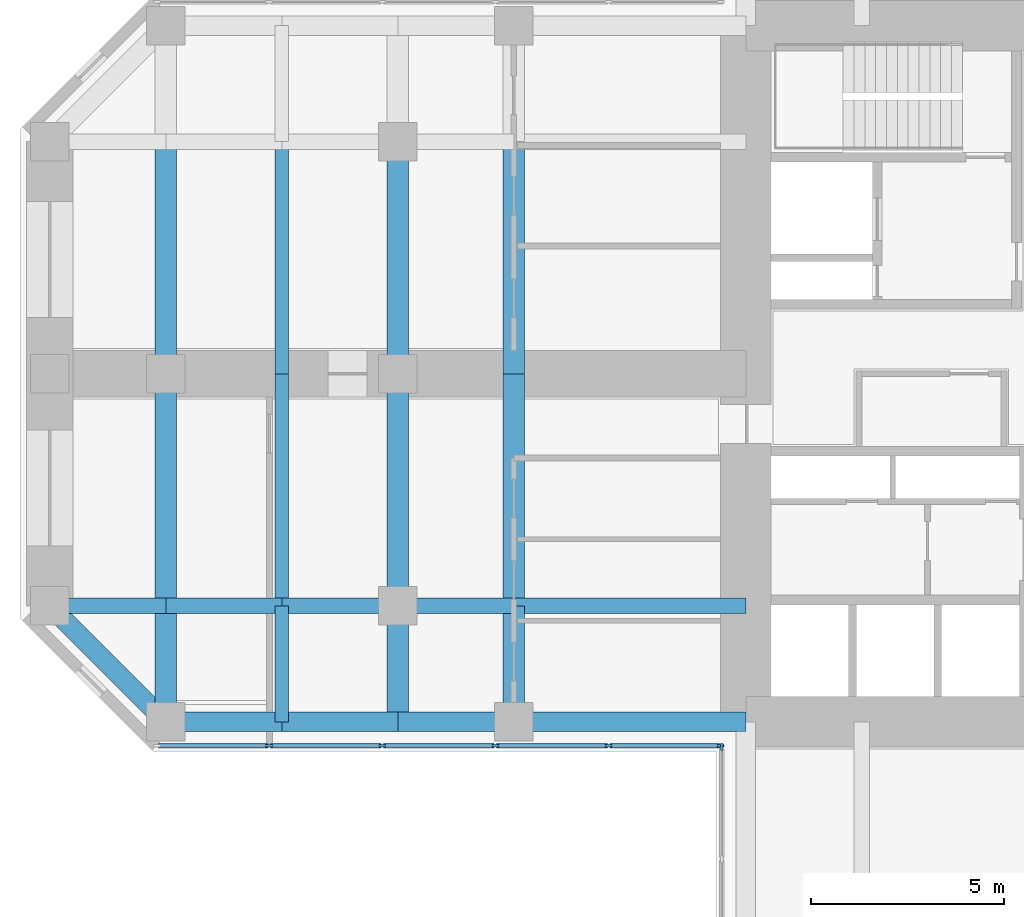
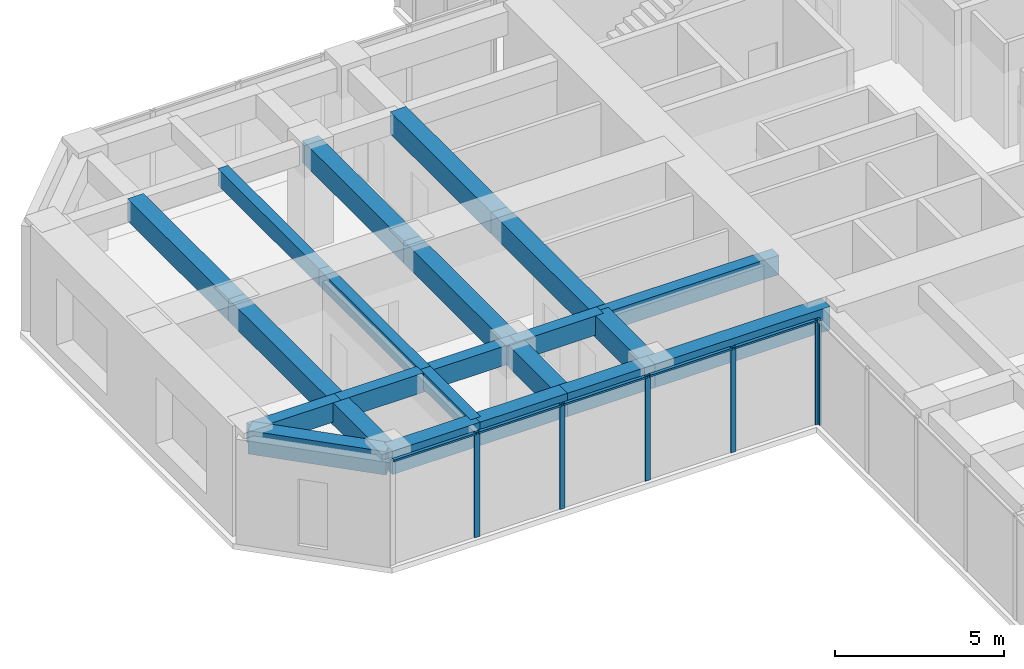
# One storey, part 3 of 12: 22 beams, 11 members, 2 elements without a shape of their own.
"""IFC4 building model written with IfcOpenShell, lengths in metres."""

from ifc_helpers import new_model, si_unit, direction, frame, origin, origin_2d, place, context, subcontext, project, spatial, rectangle, extrude, material, material_profile, profile_set, type_object, element, aggregate, save


model = new_model("IFC4")

# Units and contexts
model_context = context("Model", 3, precision=1e-05, world=origin(), true_north=direction((0.0, 1.0)))
body_context = subcontext(model_context, "Body", "Model", "MODEL_VIEW")
ifc_project = project(units=[si_unit("LENGTHUNIT", "METRE"), si_unit("AREAUNIT", "SQUARE_METRE"), si_unit("VOLUMEUNIT", "CUBIC_METRE"), si_unit("PLANEANGLEUNIT", "RADIAN"), si_unit("MASSUNIT", "GRAM", prefix="KILO")], contexts=[model_context])

# Site, building, storey
site_placement = place(None, origin())
site = spatial("IfcSite", under=ifc_project, at=site_placement, CompositionType="ELEMENT")
building_placement = place(site_placement, origin())
building = spatial("IfcBuilding", under=site, at=building_placement, Name="Torre Cruceta", CompositionType="ELEMENT")
storey_placement = place(building_placement, frame((0.0, 0.0, 104.5)))
storey = spatial("IfcBuildingStorey", under=building, at=storey_placement, Name="L25", CompositionType="ELEMENT", Elevation=104.5)

# Beams
ifc_material_1 = material(Name="Concrete G60 (fck 60 MPa)", Category="concrete")
ifc_material_profile_1 = material_profile(ifc_material_1, rectangle(XDim=0.39990234375, YDim=0.699951171875, at=origin_2d()), Name="RC 400X700")
ifc_profile_set_1 = profile_set([ifc_material_profile_1], Name="Concrete G60 (fck 60 MPa)")
beam_type_1 = type_object("IfcBeamType", Name="COLUMN LINE BEAM RC 400X700", PredefinedType="BEAM", material=ifc_profile_set_1)
beam_1_placement = place(storey_placement, frame((-9.0, -6.0, 3.449951171875), z_axis=(-1.0, 0.0, 0.0), x_axis=(0.0, -1.0, 0.0)))
element("IfcBeam", 1, at=beam_1_placement, inside=storey, type_object=beam_type_1, Name="LB5 L25 W col+ 1", PredefinedType="BEAM", context=body_context, shape_type="SweptSolid", body=[
    extrude(rectangle(XDim=0.39990234375, YDim=0.699951171875, at=origin_2d()), origin(), (0.0, 0.0, 1.0), 6.0),
])
for number, where, z_axis, x_axis, name in (
    (2, (-15.0, -6.0, 3.449951171875), (-1.0, 0.0, 0.0), (0.0, -1.0, 0.0), "LB5 L25 W col+ 2"),
    (3, (-18.0, -6.0, 3.449951171875), (-1.0, 0.0, 0.0), (0.0, -1.0, 0.0), "LB5 L25 W col+ 3"),
    (4, (-21.0, -6.0, 3.449951171875), (-1.0, 0.0, 0.0), (0.0, -1.0, 0.0), "LB5 L25 W col+ 4"),
    (5, (-24.0, -6.0, 3.449951171875), (-1.0, 0.0, 0.0), (0.0, -1.0, 0.0), "LB5 L25 W col+ 5"),
):
    element("IfcBeam", number, at=place(storey_placement, frame(where, z_axis=z_axis, x_axis=x_axis)), inside=storey, type_object=beam_type_1, Name=name, PredefinedType="BEAM", context=body_context, shape_type="SweptSolid", body=[
        extrude(rectangle(XDim=0.39990234375, YDim=0.699951171875, at=origin_2d()), origin(), (0.0, 0.0, 1.0), 3.0),
    ])
ifc_material_2 = material(Name="Concrete G60 (fck 60 MPa)", Category="concrete")
ifc_material_profile_2 = material_profile(ifc_material_2, rectangle(XDim=0.550048828125, YDim=0.800048828125, at=origin_2d()), Name="RC 550X800")
ifc_profile_set_2 = profile_set([ifc_material_profile_2], Name="Concrete G60 (fck 60 MPa)")
beam_type_2 = type_object("IfcBeamType", Name="CROSS BEAM RC 550X800", PredefinedType="BEAM", material=ifc_profile_set_2)
for number, where, z_axis, x_axis, name in (
    (6, (-15.0, 6.0, 3.39990234375), (0.0, -1.0, 0.0), (1.0, 0.0, 0.0), "GB5 L25 W cross15 2"),
    (7, (-15.0, 0.0, 3.39990234375), (0.0, -1.0, 0.0), (1.0, 0.0, 0.0), "GB5 L25 W cross15 3"),
):
    element("IfcBeam", number, at=place(storey_placement, frame(where, z_axis=z_axis, x_axis=x_axis)), inside=storey, type_object=beam_type_2, Name=name, PredefinedType="BEAM", context=body_context, shape_type="SweptSolid", body=[
        extrude(rectangle(XDim=0.550048828125, YDim=0.800048828125, at=origin_2d()), origin(), (0.0, 0.0, 1.0), 6.0),
    ])
beam_2_placement = place(storey_placement, frame((-15.0, -6.0, 3.39990234375), z_axis=(0.0, -1.0, 0.0), x_axis=(1.0, 0.0, 0.0)))
element("IfcBeam", 8, at=beam_2_placement, inside=storey, type_object=beam_type_2, Name="GB5 L25 W cross15 4", PredefinedType="BEAM", context=body_context, shape_type="SweptSolid", body=[
    extrude(rectangle(XDim=0.550048828125, YDim=0.800048828125, at=origin_2d()), origin(), (0.0, 0.0, 1.0), 3.0),
])
for number, where, z_axis, x_axis, name in (
    (9, (-18.0, 6.0, 3.39990234375), (0.0, -1.0, 0.0), (1.0, 0.0, 0.0), "GB5 L25 W cross18 2"),
    (10, (-18.0, 0.0, 3.39990234375), (0.0, -1.0, 0.0), (1.0, 0.0, 0.0), "GB5 L25 W cross18 3"),
):
    element("IfcBeam", number, at=place(storey_placement, frame(where, z_axis=z_axis, x_axis=x_axis)), inside=storey, type_object=beam_type_2, Name=name, PredefinedType="BEAM", context=body_context, shape_type="SweptSolid", body=[
        extrude(rectangle(XDim=0.550048828125, YDim=0.800048828125, at=origin_2d()), origin(), (0.0, 0.0, 1.0), 6.0),
    ])
beam_3_placement = place(storey_placement, frame((-18.0, -6.0, 3.39990234375), z_axis=(0.0, -1.0, 0.0), x_axis=(1.0, 0.0, 0.0)))
element("IfcBeam", 11, at=beam_3_placement, inside=storey, type_object=beam_type_2, Name="GB5 L25 W cross18 4", PredefinedType="BEAM", context=body_context, shape_type="SweptSolid", body=[
    extrude(rectangle(XDim=0.550048828125, YDim=0.800048828125, at=origin_2d()), origin(), (0.0, 0.0, 1.0), 3.0),
])
for number, where, z_axis, x_axis, name in (
    (12, (-24.0, 6.0, 3.39990234375), (0.0, -1.0, 0.0), (1.0, 0.0, 0.0), "GB5 L25 W cross24 2"),
    (13, (-24.0, 0.0, 3.39990234375), (0.0, -1.0, 0.0), (1.0, 0.0, 0.0), "GB5 L25 W cross24 3"),
):
    element("IfcBeam", number, at=place(storey_placement, frame(where, z_axis=z_axis, x_axis=x_axis)), inside=storey, type_object=beam_type_2, Name=name, PredefinedType="BEAM", context=body_context, shape_type="SweptSolid", body=[
        extrude(rectangle(XDim=0.550048828125, YDim=0.800048828125, at=origin_2d()), origin(), (0.0, 0.0, 1.0), 6.0),
    ])
beam_4_placement = place(storey_placement, frame((-24.0, -6.0, 3.39990234375), z_axis=(0.0, -1.0, 0.0), x_axis=(1.0, 0.0, 0.0)))
element("IfcBeam", 14, at=beam_4_placement, inside=storey, type_object=beam_type_2, Name="GB5 L25 W cross24 4", PredefinedType="BEAM", context=body_context, shape_type="SweptSolid", body=[
    extrude(rectangle(XDim=0.550048828125, YDim=0.800048828125, at=origin_2d()), origin(), (0.0, 0.0, 1.0), 3.0),
])

# Curtain wall, members
ifc_material_3 = material(Name="Aluminium unitised curtain wall", Category="aluminium")
curtain_wall_type = type_object("IfcCurtainWallType", Name="CURTAIN WALL CW-B OFFICE MID RISE", PredefinedType="USERDEFINED", material=ifc_material_3)
curtain_wall_1_placement = place(storey_placement, origin())
curtain_wall_1 = element("IfcCurtainWall", 15, at=curtain_wall_1_placement, inside=storey, type_object=curtain_wall_type, Name="CW-B L25 W side 14", ObjectType="UNITISED", PredefinedType="USERDEFINED")
ifc_material_4 = material(Name="Aluminium mullion", Category="aluminium")
ifc_material_profile_3 = material_profile(ifc_material_4, rectangle(XDim=0.06494140625, YDim=0.179931640625, at=origin_2d()), Name="AL 65X180")
ifc_profile_set_3 = profile_set([ifc_material_profile_3], Name="Aluminium mullion")
member_type_1 = type_object("IfcMemberType", Name="CW-B MULLION 65X180", PredefinedType="MULLION", material=ifc_profile_set_3)
member_1_placement = place(storey_placement, frame((-21.329345703125, -9.6201171875, 0.0), z_axis=(0.0, 0.0, 1.0), x_axis=(0.0, 1.0, 0.0)))
member_1 = element("IfcMember", 16, at=member_1_placement, type_object=member_type_1, Name="CW-B mullion 2", PredefinedType="MULLION", context=body_context, shape_type="SweptSolid", body=[
    extrude(rectangle(XDim=0.06494140625, YDim=0.179931640625, at=origin_2d()), origin(), (0.0, 0.0, 1.0), 3.800048828125),
])
member_2_placement = place(storey_placement, frame((-18.402099609375, -9.6201171875, 0.0), z_axis=(0.0, 0.0, 1.0), x_axis=(0.0, 1.0, 0.0)))
member_2 = element("IfcMember", 17, at=member_2_placement, type_object=member_type_1, Name="CW-B mullion 3", PredefinedType="MULLION", context=body_context, shape_type="SweptSolid", body=[
    extrude(rectangle(XDim=0.06494140625, YDim=0.179931640625, at=origin_2d()), origin(), (0.0, 0.0, 1.0), 3.800048828125),
])
member_3_placement = place(storey_placement, frame((-15.474609375, -9.6201171875, 0.0), z_axis=(0.0, 0.0, 1.0), x_axis=(0.0, 1.0, 0.0)))
member_3 = element("IfcMember", 18, at=member_3_placement, type_object=member_type_1, Name="CW-B mullion 4", PredefinedType="MULLION", context=body_context, shape_type="SweptSolid", body=[
    extrude(rectangle(XDim=0.06494140625, YDim=0.179931640625, at=origin_2d()), origin(), (0.0, 0.0, 1.0), 3.800048828125),
])
member_4_placement = place(storey_placement, frame((-12.54736328125, -9.6201171875, 0.0), z_axis=(0.0, 0.0, 1.0), x_axis=(0.0, 1.0, 0.0)))
member_4 = element("IfcMember", 19, at=member_4_placement, type_object=member_type_1, Name="CW-B mullion 5", PredefinedType="MULLION", context=body_context, shape_type="SweptSolid", body=[
    extrude(rectangle(XDim=0.06494140625, YDim=0.179931640625, at=origin_2d()), origin(), (0.0, 0.0, 1.0), 3.800048828125),
])
member_5_placement = place(storey_placement, frame((-9.652587890625, -9.6201171875, 0.0), z_axis=(0.0, 0.0, 1.0), x_axis=(0.0, 1.0, 0.0)))
member_5 = element("IfcMember", 20, at=member_5_placement, type_object=member_type_1, Name="CW-B mullion 6", PredefinedType="MULLION", context=body_context, shape_type="SweptSolid", body=[
    extrude(rectangle(XDim=0.06494140625, YDim=0.179931640625, at=origin_2d()), origin(), (0.0, 0.0, 1.0), 3.800048828125),
])

# Curtain wall, member
curtain_wall_2_placement = place(storey_placement, origin())
curtain_wall_2 = element("IfcCurtainWall", 21, at=curtain_wall_2_placement, inside=storey, type_object=curtain_wall_type, Name="CW-B L25 S side 15", ObjectType="UNITISED", PredefinedType="USERDEFINED")
member_6_placement = place(storey_placement, frame((-9.6201171875, -9.652587890625, 0.0), z_axis=(0.0, 0.0, 1.0), x_axis=(1.0, 0.0, 0.0)))
member_6 = element("IfcMember", 22, at=member_6_placement, type_object=member_type_1, Name="CW-B mullion 1", PredefinedType="MULLION", context=body_context, shape_type="SweptSolid", body=[
    extrude(rectangle(XDim=0.06494140625, YDim=0.179931640625, at=origin_2d()), origin(), (0.0, 0.0, 1.0), 3.800048828125),
])
aggregate(curtain_wall_2, [member_6])

# Member
ifc_material_5 = material(Name="Aluminium transom", Category="aluminium")
ifc_material_profile_4 = material_profile(ifc_material_5, rectangle(XDim=0.110107421875, YDim=0.06494140625, at=origin_2d()), Name="AL 110X65")
ifc_profile_set_4 = profile_set([ifc_material_profile_4], Name="Aluminium transom")
member_type_2 = type_object("IfcMemberType", Name="CW-B TRANSOM 65X110", PredefinedType="USERDEFINED", material=ifc_profile_set_4)
member_7_placement = place(storey_placement, frame((-24.19189453125, -9.6201171875, 3.767578125), z_axis=(1.0, 0.0, 0.0), x_axis=(0.0, 1.0, 0.0)))
member_7 = element("IfcMember", 23, at=member_7_placement, type_object=member_type_2, Name="CW-B transom 1", ObjectType="TRANSOM", PredefinedType="USERDEFINED", context=body_context, shape_type="SweptSolid", body=[
    extrude(rectangle(XDim=0.110107421875, YDim=0.06494140625, at=origin_2d()), origin(), (0.0, 0.0, 1.0), 2.829833984375),
])

member_8_placement = place(storey_placement, frame((-21.296875, -9.6201171875, 3.767578125), z_axis=(1.0, 0.0, 0.0), x_axis=(0.0, 1.0, 0.0)))
member_8 = element("IfcMember", 24, at=member_8_placement, type_object=member_type_2, Name="CW-B transom 2", ObjectType="TRANSOM", PredefinedType="USERDEFINED", context=body_context, shape_type="SweptSolid", body=[
    extrude(rectangle(XDim=0.110107421875, YDim=0.06494140625, at=origin_2d()), origin(), (0.0, 0.0, 1.0), 2.8623046875),
])

member_9_placement = place(storey_placement, frame((-18.36962890625, -9.6201171875, 3.767578125), z_axis=(1.0, 0.0, 0.0), x_axis=(0.0, 1.0, 0.0)))
member_9 = element("IfcMember", 25, at=member_9_placement, type_object=member_type_2, Name="CW-B transom 3", ObjectType="TRANSOM", PredefinedType="USERDEFINED", context=body_context, shape_type="SweptSolid", body=[
    extrude(rectangle(XDim=0.110107421875, YDim=0.06494140625, at=origin_2d()), origin(), (0.0, 0.0, 1.0), 2.8623046875),
])

member_10_placement = place(storey_placement, frame((-15.442138671875, -9.6201171875, 3.767578125), z_axis=(1.0, 0.0, 0.0), x_axis=(0.0, 1.0, 0.0)))
member_10 = element("IfcMember", 26, at=member_10_placement, type_object=member_type_2, Name="CW-B transom 4", ObjectType="TRANSOM", PredefinedType="USERDEFINED", context=body_context, shape_type="SweptSolid", body=[
    extrude(rectangle(XDim=0.110107421875, YDim=0.06494140625, at=origin_2d()), origin(), (0.0, 0.0, 1.0), 2.8623046875),
])

member_11_placement = place(storey_placement, frame((-12.514892578125, -9.6201171875, 3.767578125), z_axis=(1.0, 0.0, 0.0), x_axis=(0.0, 1.0, 0.0)))
member_11 = element("IfcMember", 27, at=member_11_placement, type_object=member_type_2, Name="CW-B transom 5", ObjectType="TRANSOM", PredefinedType="USERDEFINED", context=body_context, shape_type="SweptSolid", body=[
    extrude(rectangle(XDim=0.110107421875, YDim=0.06494140625, at=origin_2d()), origin(), (0.0, 0.0, 1.0), 2.829833984375),
])

aggregate(curtain_wall_1, [member_1, member_2, member_3, member_4, member_5, member_7, member_8, member_9, member_10, member_11])

# Beams
ifc_material_6 = material(Name="Concrete G60 (fck 60 MPa)", Category="concrete")
ifc_material_profile_5 = material_profile(ifc_material_6, rectangle(XDim=0.35009765625, YDim=0.60009765625, at=origin_2d()), Name="RC 350X600")
ifc_profile_set_5 = profile_set([ifc_material_profile_5], Name="Concrete G60 (fck 60 MPa)")
beam_type_3 = type_object("IfcBeamType", Name="SECONDARY BEAM RC 350X600", PredefinedType="JOIST", material=ifc_profile_set_5)
for number, where, z_axis, x_axis, name in (
    (28, (-21.0, 6.0, 3.5), (0.0, -1.0, 0.0), (1.0, 0.0, 0.0), "JB5 L25 W sec21 2"),
    (29, (-21.0, 0.0, 3.5), (0.0, -1.0, 0.0), (1.0, 0.0, 0.0), "JB5 L25 W sec21 3"),
):
    element("IfcBeam", number, at=place(storey_placement, frame(where, z_axis=z_axis, x_axis=x_axis)), inside=storey, type_object=beam_type_3, Name=name, PredefinedType="JOIST", context=body_context, shape_type="SweptSolid", body=[
        extrude(rectangle(XDim=0.35009765625, YDim=0.60009765625, at=origin_2d()), origin(), (0.0, 0.0, 1.0), 6.0),
    ])
beam_5_placement = place(storey_placement, frame((-21.0, -6.0, 3.5), z_axis=(0.0, -1.0, 0.0), x_axis=(1.0, 0.0, 0.0)))
element("IfcBeam", 30, at=beam_5_placement, inside=storey, type_object=beam_type_3, Name="JB5 L25 W sec21 4", PredefinedType="JOIST", context=body_context, shape_type="SweptSolid", body=[
    extrude(rectangle(XDim=0.35009765625, YDim=0.60009765625, at=origin_2d()), origin(), (0.0, 0.0, 1.0), 3.0),
])
ifc_material_7 = material(Name="Concrete G60 (fck 60 MPa)", Category="concrete")
ifc_material_profile_6 = material_profile(ifc_material_7, rectangle(XDim=0.5, YDim=0.85009765625, at=origin_2d()), Name="RC 500X850")
ifc_profile_set_6 = profile_set([ifc_material_profile_6], Name="Concrete G60 (fck 60 MPa)")
beam_type_4 = type_object("IfcBeamType", Name="SPANDREL BEAM RC 500X850", PredefinedType="SPANDREL", material=ifc_profile_set_6)
beam_6_placement = place(storey_placement, frame((-9.0, -9.0, 3.375), z_axis=(-1.0, 0.0, 0.0), x_axis=(0.0, -1.0, 0.0)))
element("IfcBeam", 31, at=beam_6_placement, inside=storey, type_object=beam_type_4, Name="SB5 L25 W side+ 1", PredefinedType="SPANDREL", context=body_context, shape_type="SweptSolid", body=[
    extrude(rectangle(XDim=0.5, YDim=0.85009765625, at=origin_2d()), origin(), (0.0, 0.0, 1.0), 6.0),
])
for number, where, z_axis, x_axis, name in (
    (32, (-15.0, -9.0, 3.375), (-1.0, 0.0, 0.0), (0.0, -1.0, 0.0), "SB5 L25 W side+ 2"),
    (33, (-18.0, -9.0, 3.375), (-1.0, 0.0, 0.0), (0.0, -1.0, 0.0), "SB5 L25 W side+ 3"),
    (34, (-21.0, -9.0, 3.375), (-1.0, 0.0, 0.0), (0.0, -1.0, 0.0), "SB5 L25 W side+ 4"),
):
    element("IfcBeam", number, at=place(storey_placement, frame(where, z_axis=z_axis, x_axis=x_axis)), inside=storey, type_object=beam_type_4, Name=name, PredefinedType="SPANDREL", context=body_context, shape_type="SweptSolid", body=[
        extrude(rectangle(XDim=0.5, YDim=0.85009765625, at=origin_2d()), origin(), (0.0, 0.0, 1.0), 3.0),
    ])
beam_7_placement = place(storey_placement, frame((-24.0, -9.0, 3.375), z_axis=(-0.707106781187, 0.707106781187, 0.0), x_axis=(-0.707106781187, -0.707106781187, 0.0)))
element("IfcBeam", 35, at=beam_7_placement, inside=storey, type_object=beam_type_4, Name="SB5 L25 W side+ 5", PredefinedType="SPANDREL", context=body_context, shape_type="SweptSolid", body=[
    extrude(rectangle(XDim=0.5, YDim=0.85009765625, at=origin_2d()), origin(), (0.0, 0.0, 1.0), 4.24267578125),
])

save(model, "model.ifc")
